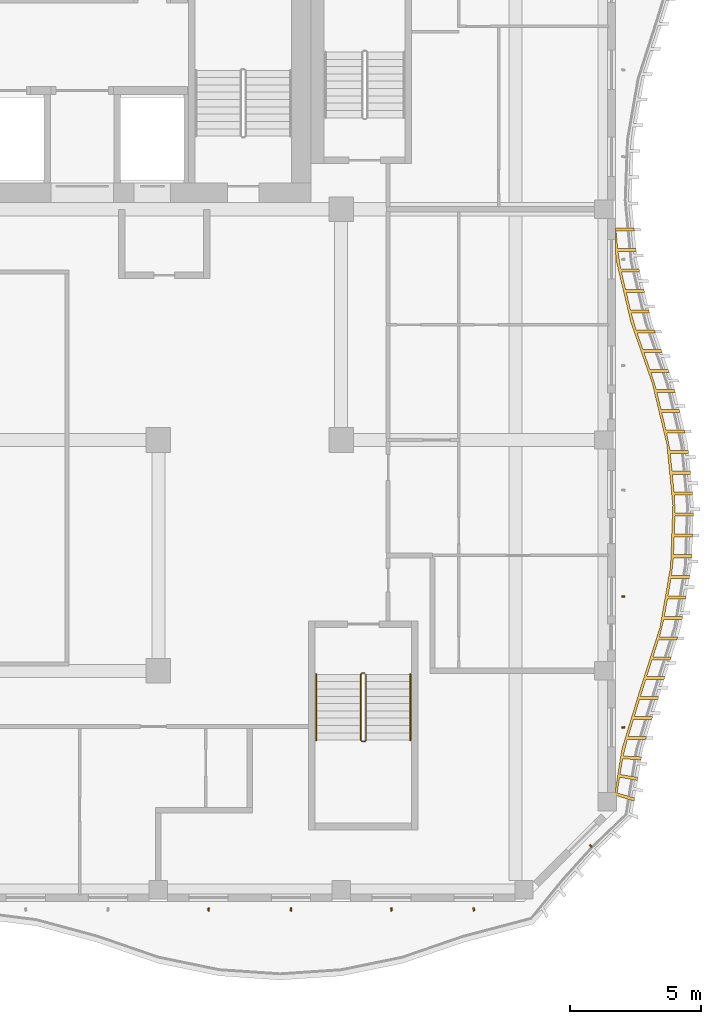
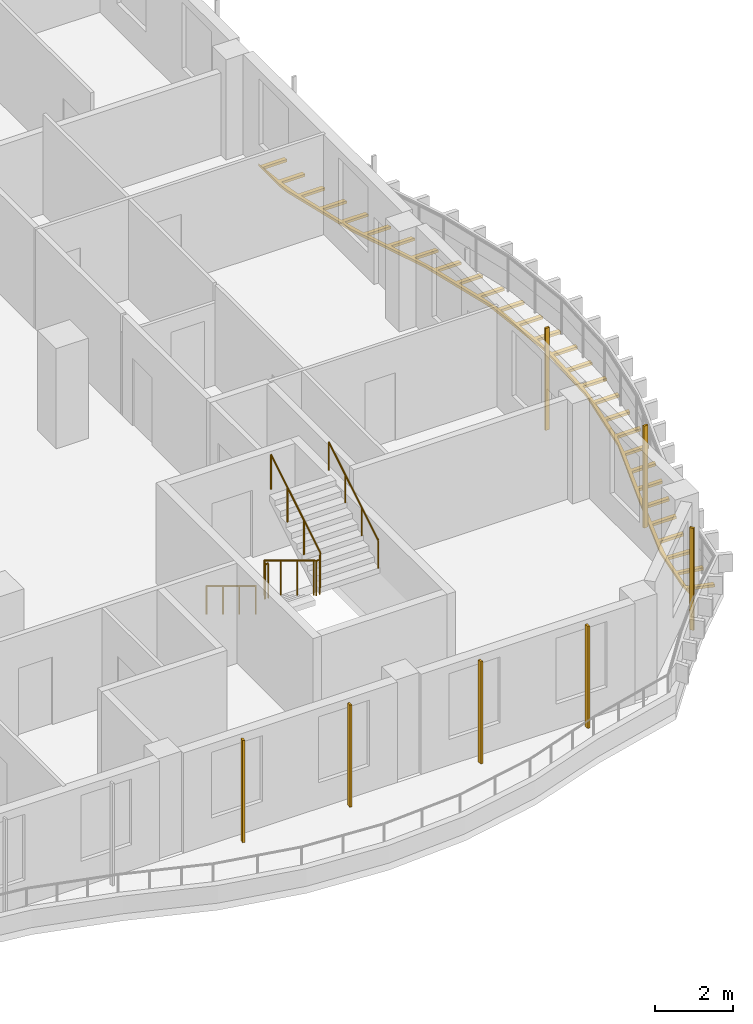
# One storey, part 16 of 19: 8 shading devices, 3 railings.
"""IFC4 building model written with IfcOpenShell, lengths in metres."""

from ifc_helpers import new_model, si_unit, direction, frame, origin, origin_2d, place, context, subcontext, project, spatial, polyline, rectangle, circle, outline, extrude, source, transform, mapped, material, layer, layer_set, material_profile, profile_set, type_object, element, save


model = new_model("IFC4")

# Units and contexts
model_context = context("Model", 3, precision=1e-05, world=origin(), true_north=direction((0.0, 1.0)))
body_context = subcontext(model_context, "Body", "Model", "MODEL_VIEW")
ifc_project = project(units=[si_unit("LENGTHUNIT", "METRE"), si_unit("AREAUNIT", "SQUARE_METRE"), si_unit("VOLUMEUNIT", "CUBIC_METRE"), si_unit("PLANEANGLEUNIT", "RADIAN"), si_unit("MASSUNIT", "GRAM", prefix="KILO")], contexts=[model_context])

# Site, building, storey
site_placement = place(None, origin())
site = spatial("IfcSite", under=ifc_project, at=site_placement, CompositionType="ELEMENT")
building_placement = place(site_placement, origin())
building = spatial("IfcBuilding", under=site, at=building_placement, Name="Kilnfold Tower and Market Hall", CompositionType="ELEMENT")
storey_placement = place(building_placement, frame((0.0, 0.0, 245.800048828125)))
storey = spatial("IfcBuildingStorey", under=building, at=storey_placement, Name="L59", CompositionType="ELEMENT", Elevation=245.800048828125)

# Railings
ifc_material_1 = material(Name="Stainless steel 316", Category="steel")
railing_type_1 = type_object("IfcRailingType", Name="CORE STAIR GUARD 1100", PredefinedType="GUARDRAIL", material=ifc_material_1)
railing_1_placement = place(storey_placement, frame((19.89990234375, -9.75, 0.0)))
element("IfcRailing", 1, at=railing_1_placement, inside=storey, type_object=railing_type_1, Name="L59 ST4 stair guard 1", PredefinedType="GUARDRAIL", context=body_context, shape_type="SweptSolid", body=[
    extrude(circle(Radius=0.02392578125, at=origin_2d()), frame((0.0, 0.0, 1.076171875), z_axis=(-1.0, 0.0, 0.0), x_axis=(0.0, -1.0, 0.0)), (0.0, 0.0, 1.0), 0.099853515625),
    extrude(circle(Radius=0.02392578125, at=origin_2d()), frame((-0.099853515625, 0.0, 1.076171875), z_axis=(-0.271895245746, -0.271895245746, 0.923117517265), x_axis=(0.707106781187, -0.707106781187, 0.0)), (0.0, 0.0, 1.0), 0.18408203125),
    extrude(circle(Radius=0.02392578125, at=origin_2d()), frame((-0.14990234375, -0.050048828125, 1.24609375), z_axis=(0.0, -0.85478489116, 0.518982456201), x_axis=(1.0, 0.0, 0.0)), (0.0, 0.0, 1.0), 2.9482421875),
    extrude(circle(Radius=0.02392578125, at=origin_2d()), frame((-0.14990234375, -2.570068359375, 2.77587890625), z_axis=(0.707106781187, -0.707106781187, 0.0), x_axis=(0.707106781187, 0.707106781187, 0.0)), (0.0, 0.0, 1.0), 0.07080078125),
    extrude(circle(Radius=0.02392578125, at=origin_2d()), frame((-0.099853515625, -2.6201171875, 2.77587890625), z_axis=(1.0, 0.0, 0.0), x_axis=(0.0, 1.0, 0.0)), (0.0, 0.0, 1.0), 0.099853515625),
    extrude(circle(Radius=0.02392578125, at=origin_2d()), frame((0.0, -2.6201171875, 2.77587890625), z_axis=(0.271895245746, 0.271895245746, 0.923117517265), x_axis=(-0.707106781187, 0.707106781187, 0.0)), (0.0, 0.0, 1.0), 0.18408203125),
    extrude(circle(Radius=0.02392578125, at=origin_2d()), frame((0.050048828125, -2.570068359375, 2.94580078125), z_axis=(0.0, 0.85478489116, 0.518982456201), x_axis=(-1.0, 0.0, 0.0)), (0.0, 0.0, 1.0), 2.9482421875),
    extrude(circle(Radius=0.02099609375, at=origin_2d()), origin(), (0.0, 0.0, 1.0), 1.052001953125),
    extrude(circle(Radius=0.02099609375, at=origin_2d()), frame((-0.099853515625, 0.0, 0.0)), (0.0, 0.0, 1.0), 1.052001953125),
    extrude(circle(Radius=0.02099609375, at=origin_2d()), frame((-0.14990234375, -0.050048828125, 0.169921875)), (0.0, 0.0, 1.0), 1.052001953125),
    extrude(circle(Radius=0.02099609375, at=origin_2d()), frame((-0.14990234375, -0.89013671875, 0.679931640625)), (0.0, 0.0, 1.0), 1.052001953125),
    extrude(circle(Radius=0.02099609375, at=origin_2d()), frame((-0.14990234375, -1.72998046875, 1.18994140625)), (0.0, 0.0, 1.0), 1.052001953125),
    extrude(circle(Radius=0.02099609375, at=origin_2d()), frame((-0.14990234375, -2.570068359375, 1.699951171875)), (0.0, 0.0, 1.0), 1.052001953125),
    extrude(circle(Radius=0.02099609375, at=origin_2d()), frame((-0.099853515625, -2.6201171875, 1.699951171875)), (0.0, 0.0, 1.0), 1.052001953125),
    extrude(circle(Radius=0.02099609375, at=origin_2d()), frame((0.0, -2.6201171875, 1.699951171875)), (0.0, 0.0, 1.0), 1.052001953125),
    extrude(circle(Radius=0.02099609375, at=origin_2d()), frame((0.050048828125, -2.570068359375, 1.869873046875)), (0.0, 0.0, 1.0), 1.052001953125),
    extrude(circle(Radius=0.02099609375, at=origin_2d()), frame((0.050048828125, -1.72998046875, 2.3798828125)), (0.0, 0.0, 1.0), 1.052001953125),
    extrude(circle(Radius=0.02099609375, at=origin_2d()), frame((0.050048828125, -0.89013671875, 2.889892578125)), (0.0, 0.0, 1.0), 1.052001953125),
    extrude(circle(Radius=0.02099609375, at=origin_2d()), frame((0.050048828125, -0.050048828125, 3.39990234375)), (0.0, 0.0, 1.0), 1.052001953125),
])
ifc_material_2 = material(Name="Stainless steel 316", Category="steel")
railing_type_2 = type_object("IfcRailingType", Name="CORE STAIR HANDRAIL 900", PredefinedType="HANDRAIL", material=ifc_material_2)
railing_2_placement = place(storey_placement, frame((18.050048828125, -9.800048828125, 0.169921875)))
element("IfcRailing", 2, at=railing_2_placement, inside=storey, type_object=railing_type_2, Name="L59 ST4 stair handrail 1", PredefinedType="HANDRAIL", context=body_context, shape_type="SweptSolid", body=[
    extrude(circle(Radius=0.02392578125, at=origin_2d()), frame((0.0, 0.0, 0.8759765625), z_axis=(0.0, -0.85478489116, 0.518982456201), x_axis=(1.0, 0.0, 0.0)), (0.0, 0.0, 1.0), 2.9482421875),
    extrude(circle(Radius=0.02099609375, at=origin_2d()), origin(), (0.0, 0.0, 1.0), 0.851806640625),
    extrude(circle(Radius=0.02099609375, at=origin_2d()), frame((0.0, -0.840087890625, 0.510009765625)), (0.0, 0.0, 1.0), 0.851806640625),
    extrude(circle(Radius=0.02099609375, at=origin_2d()), frame((0.0, -1.679931640625, 1.02001953125)), (0.0, 0.0, 1.0), 0.851806640625),
    extrude(circle(Radius=0.02099609375, at=origin_2d()), frame((0.0, -2.52001953125, 1.530029296875)), (0.0, 0.0, 1.0), 0.851806640625),
])
railing_3_placement = place(storey_placement, frame((21.64990234375, -12.320068359375, 1.869873046875)))
element("IfcRailing", 3, at=railing_3_placement, inside=storey, type_object=railing_type_2, Name="L59 ST4 stair handrail 2", PredefinedType="HANDRAIL", context=body_context, shape_type="SweptSolid", body=[
    extrude(circle(Radius=0.02392578125, at=origin_2d()), frame((0.0, 0.0, 0.8759765625), z_axis=(0.0, 0.85478489116, 0.518982456201), x_axis=(-1.0, 0.0, 0.0)), (0.0, 0.0, 1.0), 2.9482421875),
    extrude(circle(Radius=0.02099609375, at=origin_2d()), origin(), (0.0, 0.0, 1.0), 0.851806640625),
    extrude(circle(Radius=0.02099609375, at=origin_2d()), frame((0.0, 0.840087890625, 0.510009765625)), (0.0, 0.0, 1.0), 0.851806640625),
    extrude(circle(Radius=0.02099609375, at=origin_2d()), frame((0.0, 1.679931640625, 1.02001953125)), (0.0, 0.0, 1.0), 0.851806640625),
    extrude(circle(Radius=0.02099609375, at=origin_2d()), frame((0.0, 2.52001953125, 1.530029296875)), (0.0, 0.0, 1.0), 0.851806640625),
])

# Shading devices
ifc_material_3 = material(Name="Terracotta", Category="masonry")
ifc_material_profile = material_profile(ifc_material_3, rectangle(XDim=0.06005859375, YDim=0.1201171875, at=origin_2d()), Name="BAG 60x120")
ifc_profile_set = profile_set([ifc_material_profile], Name="Terracotta")
shading_device_type_1 = type_object("IfcShadingDeviceType", Name="BAGUETTE", PredefinedType="USERDEFINED", material=ifc_profile_set)
shared_shape_1 = source(origin(), body_context, "Body", "SweptSolid", [
    extrude(rectangle(XDim=0.06005859375, YDim=0.1201171875, at=origin_2d()), origin(), (0.0, 0.0, 1.0), 3.179931640625),
])
for number, where, z_axis, x_axis, name in (
    (4, (13.925048828125, -18.800048828125, 0.0), (0.0, 0.0, 1.0), (0.991564272242, -0.129615948144, 0.0), "Terracotta baguette L59 S"),
    (5, (17.074951171875, -18.800048828125, 0.0), (0.0, 0.0, 1.0), (0.99750193347, -0.070639172722, 0.0), "Terracotta baguette L59 S"),
    (6, (20.925048828125, -18.800048828125, 0.0), (0.0, 0.0, 1.0), (0.991564272242, 0.129615948144, 0.0), "Terracotta baguette L59 S"),
    (7, (24.074951171875, -18.800048828125, 0.0), (0.0, 0.0, 1.0), (0.99750193347, 0.070639172722, 0.0), "Terracotta baguette L59 S"),
    (8, (28.554931640625, -16.369384765625, 0.0), (0.0, 0.0, 1.0), (0.796032638197, 0.605253697986, 0.0), "Terracotta baguette L59 SE"),
    (9, (29.800048828125, -11.831787109375, 0.0), (0.0, 0.0, 1.0), (-0.103295987937, 0.994650661728, 0.0), "Terracotta baguette L59 E"),
    (10, (29.800048828125, -6.816650390625, 0.0), (0.0, 0.0, 1.0), (-0.007825976479, 0.999969376577, 0.0), "Terracotta baguette L59 E"),
):
    element("IfcShadingDevice", number, at=place(storey_placement, frame(where, z_axis=z_axis, x_axis=x_axis)), inside=storey, type_object=shading_device_type_1, Name=name, ObjectType="BAGUETTE", PredefinedType="USERDEFINED", context=body_context, shape_type="MappedRepresentation", body=[
        mapped(shared_shape_1, transform((0.0, 0.0, 0.0))),
    ])
ifc_material_4 = material(Name="Bronze anodised aluminium", Category="aluminium")
ifc_layer = layer(ifc_material_4, 0.080078125)
ifc_layer_set = layer_set([ifc_layer], Name="Bronze anodised aluminium")
shading_device_type_2 = type_object("IfcShadingDeviceType", Name="BRONZE SLAT SOFFIT 80", PredefinedType="USERDEFINED", material=ifc_layer_set)
shared_shape_2 = source(origin(), body_context, "Body", "SweptSolid", [
    extrude(outline(polyline([(29.7421875, -12.666748046875), (30.45361328125, -10.333251953125), (31.200927734375, -8.0), (31.606201171875, -5.666748046875), (31.69189453125, -3.333251953125), (31.463623046875, -1.0), (30.90771484375, 1.333251953125), (30.088134765625, 3.666748046875), (29.5341796875, 6.0), (29.5, 6.352294921875), (29.5, 7.3818359375), (29.5087890625, 7.29150390625), (30.208740234375, 7.29150390625), (30.220458984375, 7.172119140625), (29.5205078125, 7.172119140625), (29.586181640625, 6.4951171875), (30.2861328125, 6.4951171875), (30.297607421875, 6.375732421875), (29.59765625, 6.375732421875), (29.7041015625, 5.705810546875), (30.404052734375, 5.705810546875), (30.431884765625, 5.589111328125), (29.731689453125, 5.589111328125), (29.888916015625, 4.92724609375), (30.5888671875, 4.92724609375), (30.61669921875, 4.810546875), (29.91650390625, 4.810546875), (30.073486328125, 4.14892578125), (30.773681640625, 4.14892578125), (30.80126953125, 4.0322265625), (30.101318359375, 4.0322265625), (30.2890625, 3.379638671875), (30.989013671875, 3.379638671875), (31.02880859375, 3.266357421875), (30.32861328125, 3.266357421875), (30.55419921875, 2.624755859375), (31.254150390625, 2.624755859375), (31.2939453125, 2.51171875), (30.593994140625, 2.51171875), (30.8193359375, 1.8701171875), (31.519287109375, 1.8701171875), (31.55908203125, 1.7568359375), (30.85888671875, 1.7568359375), (31.061279296875, 1.1083984375), (31.761474609375, 1.1083984375), (31.789306640625, 0.99169921875), (31.089111328125, 0.99169921875), (31.24658203125, 0.330078125), (31.94677734375, 0.330078125), (31.974609375, 0.21337890625), (31.2744140625, 0.21337890625), (31.43212890625, -0.447998046875), (32.132080078125, -0.447998046875), (32.159912109375, -0.564697265625), (31.4599609375, -0.564697265625), (31.586181640625, -1.2314453125), (32.286376953125, -1.2314453125), (32.2978515625, -1.350830078125), (31.597900390625, -1.350830078125), (31.664306640625, -2.027587890625), (32.3642578125, -2.027587890625), (32.3759765625, -2.147216796875), (31.67578125, -2.147216796875), (31.7421875, -2.82373046875), (32.442138671875, -2.82373046875), (32.453857421875, -2.943359375), (31.75390625, -2.943359375), (31.781494140625, -3.62109375), (32.4814453125, -3.62109375), (32.47705078125, -3.7412109375), (31.777099609375, -3.7412109375), (31.751953125, -4.420654296875), (32.451904296875, -4.420654296875), (32.450927734375, -4.447265625), (32.447509765625, -4.54052734375), (31.74755859375, -4.54052734375), (31.722412109375, -5.22021484375), (32.422607421875, -5.22021484375), (32.418212890625, -5.340087890625), (31.718017578125, -5.340087890625), (31.645751953125, -6.0146484375), (32.345703125, -6.0146484375), (32.3251953125, -6.1328125), (31.625, -6.1328125), (31.5087890625, -6.802734375), (32.208740234375, -6.802734375), (32.201416015625, -6.845947265625), (32.188232421875, -6.9208984375), (31.48828125, -6.9208984375), (31.371826171875, -7.591064453125), (32.072021484375, -7.591064453125), (32.051513671875, -7.709228515625), (31.351318359375, -7.709228515625), (31.18359375, -8.36669921875), (31.883544921875, -8.36669921875), (31.846923828125, -8.480712890625), (31.14697265625, -8.480712890625), (30.939453125, -9.12841796875), (31.639404296875, -9.12841796875), (31.602783203125, -9.24267578125), (30.90283203125, -9.24267578125), (30.695556640625, -9.890380859375), (31.3955078125, -9.890380859375), (31.35888671875, -10.004638671875), (30.658935546875, -10.004638671875), (30.4560546875, -10.653564453125), (31.156005859375, -10.653564453125), (31.12109375, -10.768310546875), (30.4208984375, -10.768310546875), (30.22265625, -11.418701171875), (30.922607421875, -11.418701171875), (30.8876953125, -11.53369140625), (30.187744140625, -11.53369140625), (29.989501953125, -12.18408203125), (30.689453125, -12.18408203125), (30.654296875, -12.298828125), (29.954345703125, -12.298828125), (29.79541015625, -12.927978515625), (30.49462890625, -12.958251953125), (30.475341796875, -13.07666015625), (29.776611328125, -13.033935546875), (29.67529296875, -13.6337890625), (30.36572265625, -13.747802734375), (30.346435546875, -13.8662109375), (29.657958984375, -13.73974609375), (29.565185546875, -14.3408203125), (30.237060546875, -14.537353515625), (30.2177734375, -14.65576171875), (29.549560546875, -14.447265625), (29.5, -14.68017578125), (29.5, -14.1962890625), (29.7421875, -12.666748046875)])), origin(), (0.0, 0.0, 1.0), 0.080078125),
])
shading_device_placement = place(storey_placement, frame((0.0, 0.0, -0.300048828125)))
element("IfcShadingDevice", 11, at=shading_device_placement, inside=storey, type_object=shading_device_type_2, Name="Balcony soffit slats L59", ObjectType="SLAT", PredefinedType="USERDEFINED", context=body_context, shape_type="MappedRepresentation", body=[
    mapped(shared_shape_2, transform((0.0, 0.0, 0.0))),
])

save(model, "model.ifc")
